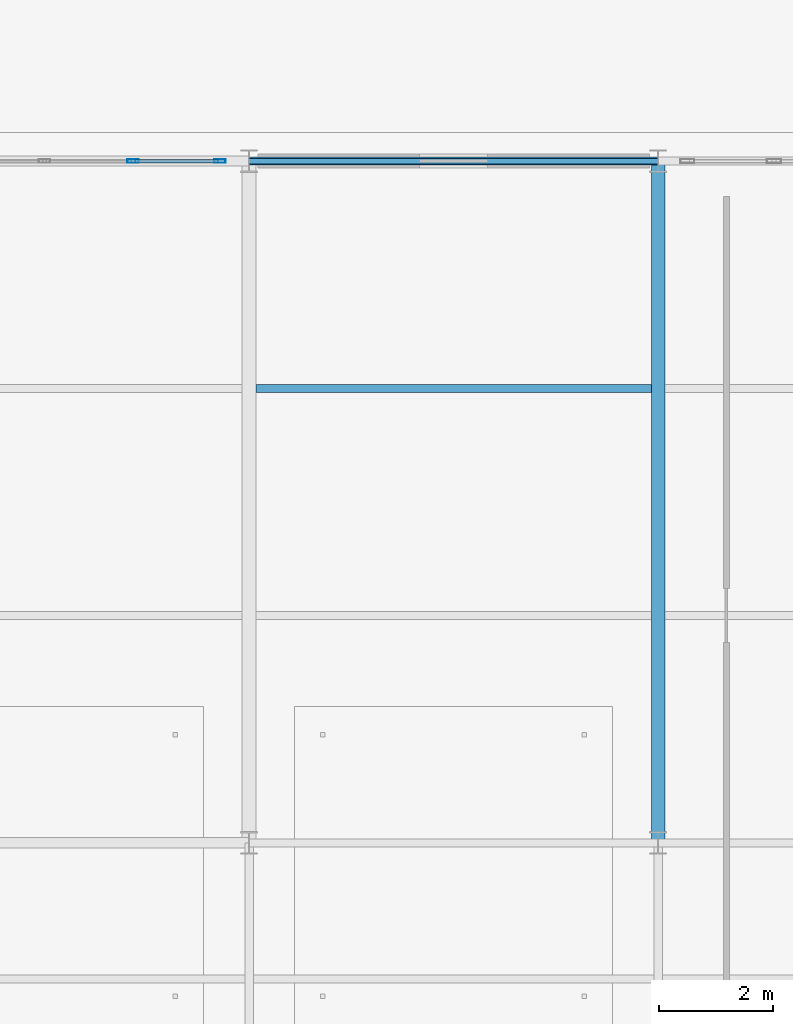
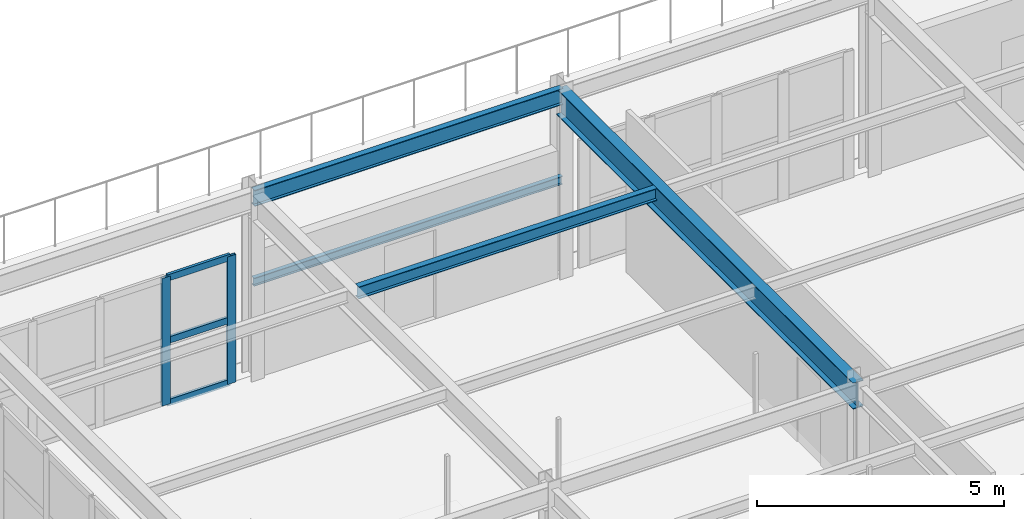
# One storey, part 17 of 41: 5 members, 4 beams, 1 element without a shape of its own.
"""IFC4 building model written with IfcOpenShell, lengths in metres."""

import ifcopenshell
import ifcopenshell.guid

model = None  # the IFC model being written
_history = None  # IfcOwnerHistory: only IFC2X3 demands one
_inside = {}  # id of a spatial element -> (the spatial element, [elements in it])
_under = {}  # id of a project, library or spatial element -> (it, [spatial elements below it])
_declared = {}  # id of a project -> (the project, [libraries it declares])
_typed = {}  # id of a type object -> (the type object, [elements of that type])
_made_of = {}  # id of a material, layer set ... -> (it, [elements and type objects made of it])


def new_model(schema):
    """Start an empty IFC model of exactly this schema.

    Asked for "IFC4X3", IfcOpenShell would pick the latest addendum, in which some entities
    have other attributes; the version numbers below select the first issue.
    IFC2X3 requires an IfcOwnerHistory on every rooted entity: one is made here for all.
    """
    global model, _history
    if schema == "IFC4X3":
        model = ifcopenshell.file(schema_version=(4, 3, 0, 0))
    else:
        model = ifcopenshell.file(schema=schema)
    _inside.clear()
    _under.clear()
    _declared.clear()
    _typed.clear()
    _made_of.clear()
    _history = None
    if model.schema == "IFC2X3":
        org = make("IfcOrganization", Name="unknown")
        user = make(
            "IfcPersonAndOrganization",
            ThePerson=make("IfcPerson", FamilyName="unknown"),
            TheOrganization=org,
        )
        app = make(
            "IfcApplication",
            ApplicationDeveloper=org,
            Version="unknown",
            ApplicationFullName="unknown",
            ApplicationIdentifier="unknown",
        )
        _history = make(
            "IfcOwnerHistory",
            OwningUser=user,
            OwningApplication=app,
            ChangeAction="ADDED",
            CreationDate=0,
        )
    return model


def make(cls, **values):
    """One entity of the class cls with the attributes given. An attribute that is None is left unset."""
    return model.create_entity(
        cls, **{name: value for name, value in values.items() if value is not None}
    )


def rooted(cls, **values):
    """An entity with a GlobalId (a new one), such as an element, a storey or a relation."""
    return make(cls, GlobalId=ifcopenshell.guid.new(), OwnerHistory=_history, **values)


def si_unit(unit_type, name, prefix=None):
    """IfcSIUnit, for example si_unit("LENGTHUNIT", "METRE", prefix="MILLI")."""
    return make("IfcSIUnit", UnitType=unit_type, Prefix=prefix, Name=name)


def assignment(units):
    """IfcUnitAssignment: the units of a project."""
    return None if units is None else make("IfcUnitAssignment", Units=units)


def point(xyz):
    """IfcCartesianPoint."""
    return None if xyz is None else make("IfcCartesianPoint", Coordinates=xyz)


def direction(xyz):
    """IfcDirection."""
    return None if xyz is None else make("IfcDirection", DirectionRatios=xyz)


def frame(location, z_axis=None, x_axis=None):
    """IfcAxis2Placement3D, a coordinate frame: its origin and axes. An axis left out is left unset."""
    return make(
        "IfcAxis2Placement3D",
        Location=point(location),
        Axis=direction(z_axis),
        RefDirection=direction(x_axis),
    )


def frame_2d(location, x_axis=None):
    """IfcAxis2Placement2D, a coordinate frame in the plane: its origin and x axis."""
    return make(
        "IfcAxis2Placement2D", Location=point(location), RefDirection=direction(x_axis)
    )


def origin():
    """The frame at (0, 0, 0) with its axes left unset."""
    return frame((0.0, 0.0, 0.0))


def origin_2d():
    """The frame at (0, 0) in the plane with its x axis left unset."""
    return frame_2d((0.0, 0.0))


def place(relative_to, where):
    """IfcLocalPlacement: puts the frame where relative to a parent placement (None: the world)."""
    return make(
        "IfcLocalPlacement", PlacementRelTo=relative_to, RelativePlacement=where
    )


def context(
    kind, dimensions, precision=None, world=None, true_north=None, identifier=None
):
    """IfcGeometricRepresentationContext, for example the 3D "Model" context."""
    return make(
        "IfcGeometricRepresentationContext",
        ContextIdentifier=identifier,
        ContextType=kind,
        CoordinateSpaceDimension=dimensions,
        Precision=precision,
        WorldCoordinateSystem=world,
        TrueNorth=true_north,
    )


def subcontext(parent, identifier, kind, view, scale=None):
    """IfcGeometricRepresentationSubContext, for example "Body" below "Model"."""
    return make(
        "IfcGeometricRepresentationSubContext",
        ContextIdentifier=identifier,
        ContextType=kind,
        ParentContext=parent,
        TargetScale=scale,
        TargetView=view,
    )


def project(units=None, contexts=None):
    """IfcProject with its units and contexts."""
    return rooted(
        "IfcProject",
        Name="project",
        RepresentationContexts=contexts,
        UnitsInContext=assignment(units),
    )


def spatial(cls, under=None, at=None, **own):
    """A site, building, storey or space (cls), placed at a placement, below another one or the project."""
    s = rooted(cls, ObjectPlacement=at, **own)
    if under is not None:
        _under.setdefault(under.id(), (under, []))[1].append(s)
    return s


def profile(cls, at=None, kind="AREA", **sizes):
    """A parametric profile (cls). Its sizes go by their IFC names, for example OverallWidth=200.0."""
    return make(cls, ProfileType=kind, Position=at, **sizes)


def hollow_rectangle(**sizes):
    """IfcRectangleHollowProfileDef."""
    return profile("IfcRectangleHollowProfileDef", **sizes)


def i_section(**sizes):
    """IfcIShapeProfileDef."""
    return profile("IfcIShapeProfileDef", **sizes)


def extrude(swept, where, along, depth):
    """IfcExtrudedAreaSolid: the profile swept, set in the frame where, extruded along a direction by depth."""
    return make(
        "IfcExtrudedAreaSolid",
        SweptArea=swept,
        Position=where,
        ExtrudedDirection=direction(along),
        Depth=depth,
    )


def shape(context_of_items, identifier, shape_type, items):
    """IfcShapeRepresentation: the items that make up one representation, for example the "Body"."""
    return make(
        "IfcShapeRepresentation",
        ContextOfItems=context_of_items,
        RepresentationIdentifier=identifier,
        RepresentationType=shape_type,
        Items=items,
    )


def material(Name=None, Category=None):
    """IfcMaterial."""
    return make("IfcMaterial", Name=Name, Category=Category)


def layer(
    of_material, thickness, ventilated=None, Name=None, Category=None, Priority=None
):
    """IfcMaterialLayer: one layer of a wall or slab, of a material (None: an air gap)."""
    return make(
        "IfcMaterialLayer",
        Material=of_material,
        LayerThickness=thickness,
        IsVentilated=ventilated,
        Name=Name,
        Category=Category,
        Priority=Priority,
    )


def layer_set(layers, Name=None):
    """IfcMaterialLayerSet."""
    return make("IfcMaterialLayerSet", MaterialLayers=layers, LayerSetName=Name)


def material_profile(
    of_material, cross_section, Name=None, Category=None, Priority=None
):
    """IfcMaterialProfile: a cross section and its material."""
    return make(
        "IfcMaterialProfile",
        Name=Name,
        Material=of_material,
        Profile=cross_section,
        Priority=Priority,
        Category=Category,
    )


def profile_set(profiles, Name=None, composite=None):
    """IfcMaterialProfileSet."""
    return make(
        "IfcMaterialProfileSet",
        Name=Name,
        MaterialProfiles=profiles,
        CompositeProfile=composite,
    )


def made_of(thing, what):
    """Note that an element or type object is made of a material, layer set ...; save() writes the relation."""
    if what is not None:
        _made_of.setdefault(what.id(), (what, []))[1].append(thing)
    return thing


def type_object(cls, material=None, **own):
    """A type object (cls), such as IfcWallType, which elements share."""
    return made_of(rooted(cls, **own), material)


def element(
    cls,
    number,
    at=None,
    inside=None,
    cuts=None,
    type_object=None,
    material=None,
    context=None,
    identifier="Body",
    shape_type=None,
    held_by="IfcProductDefinitionShape",
    body=None,
    shapes=None,
    **own,
):
    """One element of the class cls, such as IfcWall. Its Tag is "e" and its number.

    at: its placement. inside: the storey or other place that contains it. cuts: it is an
    opening in that element (IfcRelVoidsElement). A single representation is given by context,
    identifier, shape_type and body (its items); several are given by shapes. held_by: the class
    of the entity that holds the representations. save() writes the other relations.
    """
    e = rooted(cls, Tag="e%d" % number, ObjectPlacement=at, **own)
    if body is not None:
        shapes = [shape(context, identifier, shape_type, body)]
    if shapes is not None:
        e.Representation = make(held_by, Representations=shapes)
    if inside is not None:
        _inside.setdefault(inside.id(), (inside, []))[1].append(e)
    if cuts is not None:
        rooted(
            "IfcRelVoidsElement", RelatingBuildingElement=cuts, RelatedOpeningElement=e
        )
    if type_object is not None:
        _typed.setdefault(type_object.id(), (type_object, []))[1].append(e)
    return made_of(e, material)


def aggregate(whole, parts):
    """IfcRelAggregates: a whole, such as a stair, and the parts it consists of."""
    return rooted("IfcRelAggregates", RelatingObject=whole, RelatedObjects=parts)


def save(model, path):
    """Write the relations noted so far, then the file.

    IfcRelAggregates (storeys below a building ...), IfcRelContainedInSpatialStructure (elements
    in a storey), IfcRelDefinesByType, IfcRelAssociatesMaterial and IfcRelDeclares: one each for
    every whole, place, type object, material and project.
    """
    for whole, parts in _under.values():
        aggregate(whole, parts)
    for where, things in _inside.values():
        rooted(
            "IfcRelContainedInSpatialStructure",
            RelatedElements=things,
            RelatingStructure=where,
        )
    for kind, things in _typed.values():
        rooted("IfcRelDefinesByType", RelatedObjects=things, RelatingType=kind)
    for what, things in _made_of.values():
        rooted("IfcRelAssociatesMaterial", RelatedObjects=things, RelatingMaterial=what)
    for by, libraries in _declared.values():
        rooted("IfcRelDeclares", RelatingContext=by, RelatedDefinitions=libraries)
    model.write(path)


model = new_model("IFC4")

# Units and contexts
model_context = context("Model", 3, precision=1e-05, world=origin(), true_north=direction((0.0, 1.0)))
body_context = subcontext(model_context, "Body", "Model", "MODEL_VIEW")
ifc_project = project(units=[si_unit("LENGTHUNIT", "METRE"), si_unit("AREAUNIT", "SQUARE_METRE"), si_unit("VOLUMEUNIT", "CUBIC_METRE"), si_unit("PLANEANGLEUNIT", "RADIAN"), si_unit("MASSUNIT", "GRAM", prefix="KILO")], contexts=[model_context])

# Site, building, storey
site_placement = place(None, origin())
site = spatial("IfcSite", under=ifc_project, at=site_placement, CompositionType="ELEMENT")
building_placement = place(site_placement, origin())
building = spatial("IfcBuilding", under=site, at=building_placement, Name="Solvadek Multi-Sports Hall", CompositionType="ELEMENT")
storey_placement = place(building_placement, frame((0.0, 0.0, 14.39990234375)))
storey = spatial("IfcBuildingStorey", under=building, at=storey_placement, Name="L03", CompositionType="ELEMENT", Elevation=14.39990234375)

# Curtain wall, members
ifc_material_1 = material(Name="Anodised aluminium", Category="aluminium")
ifc_layer = layer(ifc_material_1, 0.159912109375, Name="Anodised aluminium")
ifc_layer_set = layer_set([ifc_layer], Name="Anodised aluminium")
curtain_wall_type = type_object("IfcCurtainWallType", Name="ENV-CW-624X315", PredefinedType="USERDEFINED", material=ifc_layer_set)
curtain_wall_placement = place(storey_placement, origin())
curtain_wall = element("IfcCurtainWall", 1, at=curtain_wall_placement, inside=storey, type_object=curtain_wall_type, Name="L03 Perimeter Bay Curtain Wall #204", ObjectType="CURTAIN WALL", PredefinedType="USERDEFINED")
ifc_material_profile_1 = material_profile(ifc_material_1, hollow_rectangle(XDim=0.06494140625, YDim=0.199951171875, WallThickness=0.0048828125, at=origin_2d()), Name="ALU-M 200x65x5")
ifc_profile_set_1 = profile_set([ifc_material_profile_1], Name="Anodised aluminium")
member_type_1 = type_object("IfcMemberType", Name="ENV-CWM-03", PredefinedType="MULLION", material=ifc_profile_set_1)
member_1_placement = place(storey_placement, frame((19.56005859375, 104.39990234375, 0.0), z_axis=(0.0, 0.0, 1.0), x_axis=(0.0, 1.0, 0.0)))
member_1 = element("IfcMember", 2, at=member_1_placement, type_object=member_type_1, Name="CW-44 mullion 4", PredefinedType="MULLION", context=body_context, shape_type="SweptSolid", body=[
    extrude(hollow_rectangle(XDim=0.06494140625, YDim=0.199951171875, WallThickness=0.0048828125, at=origin_2d()), origin(), (0.0, 0.0, 1.0), 3.150146484375),
])
member_2_placement = place(storey_placement, frame((21.08740234375, 104.39990234375, 0.0), z_axis=(0.0, 0.0, 1.0), x_axis=(0.0, 1.0, 0.0)))
member_2 = element("IfcMember", 3, at=member_2_placement, type_object=member_type_1, Name="CW-44 mullion 5", PredefinedType="MULLION", context=body_context, shape_type="SweptSolid", body=[
    extrude(hollow_rectangle(XDim=0.06494140625, YDim=0.199951171875, WallThickness=0.0048828125, at=origin_2d()), origin(), (0.0, 0.0, 1.0), 3.150146484375),
])
ifc_material_profile_2 = material_profile(ifc_material_1, hollow_rectangle(XDim=0.06494140625, YDim=0.159912109375, WallThickness=0.00390625, at=origin_2d()), Name="ALU-T 160x65x4")
ifc_profile_set_2 = profile_set([ifc_material_profile_2], Name="Anodised aluminium")
member_type_2 = type_object("IfcMemberType", Name="ENV-CWT-03", PredefinedType="USERDEFINED", material=ifc_profile_set_2)
member_3_placement = place(storey_placement, frame((19.592529296875, 104.39990234375, 0.03271484375), z_axis=(1.0, 0.0, 0.0), x_axis=(0.0, 1.0, 0.0)))
member_3 = element("IfcMember", 4, at=member_3_placement, type_object=member_type_2, Name="CW-44 transom 4.1", ObjectType="TRANSOM", PredefinedType="USERDEFINED", context=body_context, shape_type="SweptSolid", body=[
    extrude(hollow_rectangle(XDim=0.06494140625, YDim=0.159912109375, WallThickness=0.00390625, at=origin_2d()), origin(), (0.0, 0.0, 1.0), 1.46240234375),
])
member_4_placement = place(storey_placement, frame((19.592529296875, 104.39990234375, 1.5751953125), z_axis=(1.0, 0.0, 0.0), x_axis=(0.0, 1.0, 0.0)))
member_4 = element("IfcMember", 5, at=member_4_placement, type_object=member_type_2, Name="CW-44 transom 4.2", ObjectType="TRANSOM", PredefinedType="USERDEFINED", context=body_context, shape_type="SweptSolid", body=[
    extrude(hollow_rectangle(XDim=0.06494140625, YDim=0.159912109375, WallThickness=0.00390625, at=origin_2d()), origin(), (0.0, 0.0, 1.0), 1.46240234375),
])
member_5_placement = place(storey_placement, frame((19.592529296875, 104.39990234375, 3.11767578125), z_axis=(1.0, 0.0, 0.0), x_axis=(0.0, 1.0, 0.0)))
member_5 = element("IfcMember", 6, at=member_5_placement, type_object=member_type_2, Name="CW-44 transom 4.3", ObjectType="TRANSOM", PredefinedType="USERDEFINED", context=body_context, shape_type="SweptSolid", body=[
    extrude(hollow_rectangle(XDim=0.06494140625, YDim=0.159912109375, WallThickness=0.00390625, at=origin_2d()), origin(), (0.0, 0.0, 1.0), 1.46240234375),
])
aggregate(curtain_wall, [member_1, member_2, member_3, member_4, member_5])

# Beams
ifc_material_2 = material(Name="Steel E350 (350 MPa)", Category="steel")
ifc_material_profile_3 = material_profile(ifc_material_2, i_section(OverallWidth=0.139892578125, OverallDepth=0.39990234375, WebThickness=0.0087890625, FlangeThickness=0.01611328125, at=origin_2d()), Name="ISMB 400")
ifc_profile_set_3 = profile_set([ifc_material_profile_3], Name="Steel E350 (350 MPa)")
beam_type_1 = type_object("IfcBeamType", Name="STR-BM-ISMB400", PredefinedType="BEAM", material=ifc_profile_set_3)
beam_1_placement = place(storey_placement, frame((21.60009765625, 104.39990234375, 4.400146484375), z_axis=(1.0, 0.0, 0.0), x_axis=(0.0, 1.0, 0.0)))
element("IfcBeam", 7, at=beam_1_placement, inside=storey, type_object=beam_type_1, Name="L03 Girder B-10 #1644", PredefinedType="BEAM", context=body_context, shape_type="SweptSolid", body=[
    extrude(i_section(OverallWidth=0.139892578125, OverallDepth=0.39990234375, WebThickness=0.0087890625, FlangeThickness=0.01611328125, at=origin_2d()), origin(), (0.0, 0.0, 1.0), 7.199951171875),
])
ifc_material_profile_4 = material_profile(ifc_material_2, i_section(OverallWidth=0.239990234375, OverallDepth=0.64990234375, WebThickness=0.0126953125, FlangeThickness=0.0205078125, at=origin_2d()), Name="NPB 650")
ifc_profile_set_4 = profile_set([ifc_material_profile_4], Name="Steel E350 (350 MPa)")
beam_type_2 = type_object("IfcBeamType", Name="STR-BM-NPB650", PredefinedType="BEAM", material=ifc_profile_set_4)
beam_2_placement = place(storey_placement, frame((28.800048828125, 92.39990234375, 4.275146484375), z_axis=(0.0, 1.0, 0.0), x_axis=(-1.0, 0.0, 0.0)))
element("IfcBeam", 8, at=beam_2_placement, inside=storey, type_object=beam_type_2, Name="L03 Girder B-03 #1665", PredefinedType="BEAM", context=body_context, shape_type="SweptSolid", body=[
    extrude(i_section(OverallWidth=0.239990234375, OverallDepth=0.64990234375, WebThickness=0.0126953125, FlangeThickness=0.0205078125, at=origin_2d()), origin(), (0.0, 0.0, 1.0), 12.0),
])
ifc_material_profile_5 = material_profile(ifc_material_2, i_section(OverallWidth=0.139892578125, OverallDepth=0.300048828125, WebThickness=0.0078125, FlangeThickness=0.01318359375, at=origin_2d()), Name="ISMB 300")
ifc_profile_set_5 = profile_set([ifc_material_profile_5], Name="Steel E350 (350 MPa)")
beam_type_3 = type_object("IfcBeamType", Name="STR-JST-ISMB300", PredefinedType="JOIST", material=ifc_profile_set_5)
beam_3_placement = place(storey_placement, frame((21.719970703125, 100.39990234375, 4.4501953125), z_axis=(1.0, 0.0, 0.0), x_axis=(0.0, 1.0, 0.0)))
element("IfcBeam", 9, at=beam_3_placement, inside=storey, type_object=beam_type_3, Name="L03 Composite Joist J-03 #937", PredefinedType="JOIST", context=body_context, shape_type="SweptSolid", body=[
    extrude(i_section(OverallWidth=0.139892578125, OverallDepth=0.300048828125, WebThickness=0.0078125, FlangeThickness=0.01318359375, at=origin_2d()), origin(), (0.0, 0.0, 1.0), 6.9599609375),
])
ifc_material_3 = material(Name="Steel E250 (250 MPa)", Category="steel")
ifc_material_profile_6 = material_profile(ifc_material_3, i_section(OverallWidth=0.10009765625, OverallDepth=0.199951171875, WebThickness=0.005615234375, FlangeThickness=0.0107421875, at=origin_2d()), Name="ISMB 200")
ifc_profile_set_6 = profile_set([ifc_material_profile_6], Name="Steel E250 (250 MPa)")
beam_type_4 = type_object("IfcBeamType", Name="STR-LIN-ISMB200", PredefinedType="LINTEL", material=ifc_profile_set_6)
beam_4_placement = place(storey_placement, frame((21.60009765625, 104.39990234375, 2.320068359375), z_axis=(1.0, 0.0, 0.0), x_axis=(0.0, 1.0, 0.0)))
element("IfcBeam", 10, at=beam_4_placement, inside=storey, type_object=beam_type_4, Name="L03 Opening Lintel #26", PredefinedType="LINTEL", context=body_context, shape_type="SweptSolid", body=[
    extrude(i_section(OverallWidth=0.10009765625, OverallDepth=0.199951171875, WebThickness=0.005615234375, FlangeThickness=0.0107421875, at=origin_2d()), origin(), (0.0, 0.0, 1.0), 7.199951171875),
])

save(model, "model.ifc")
